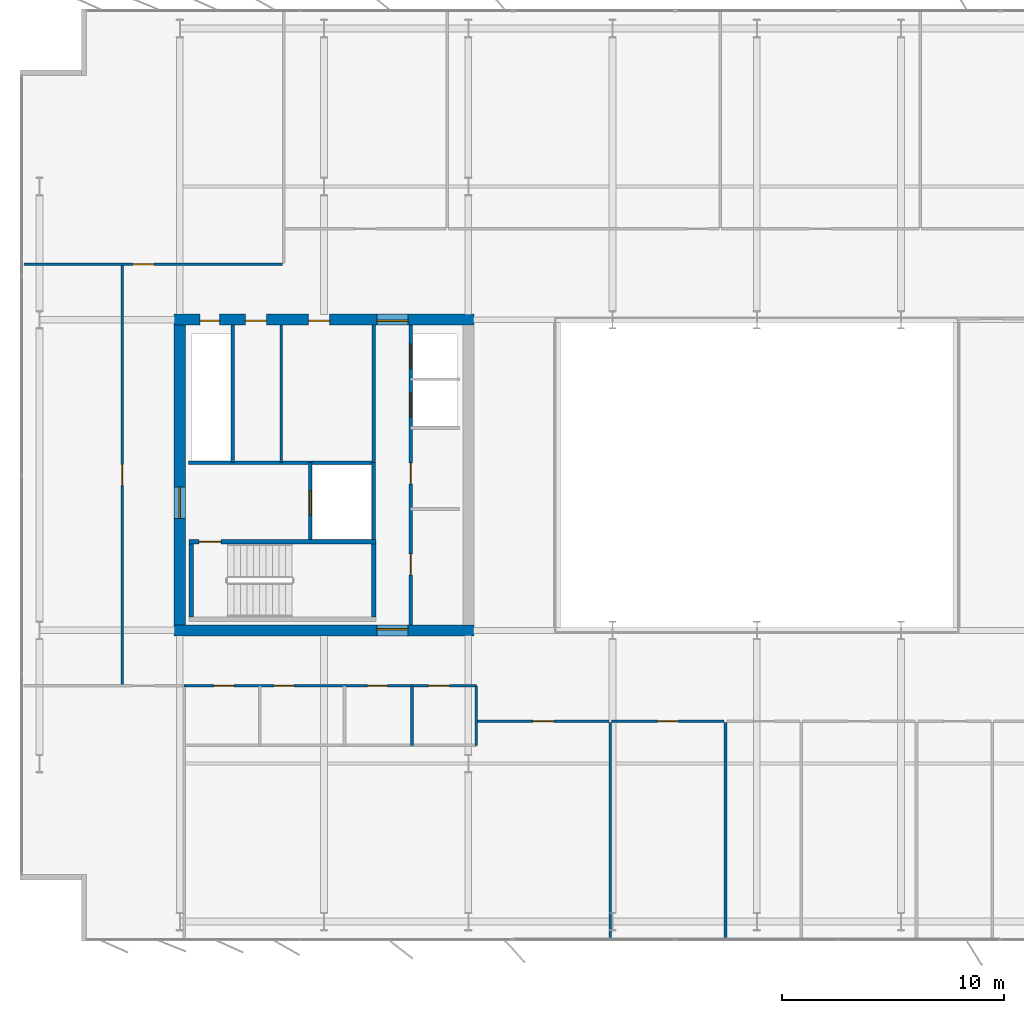
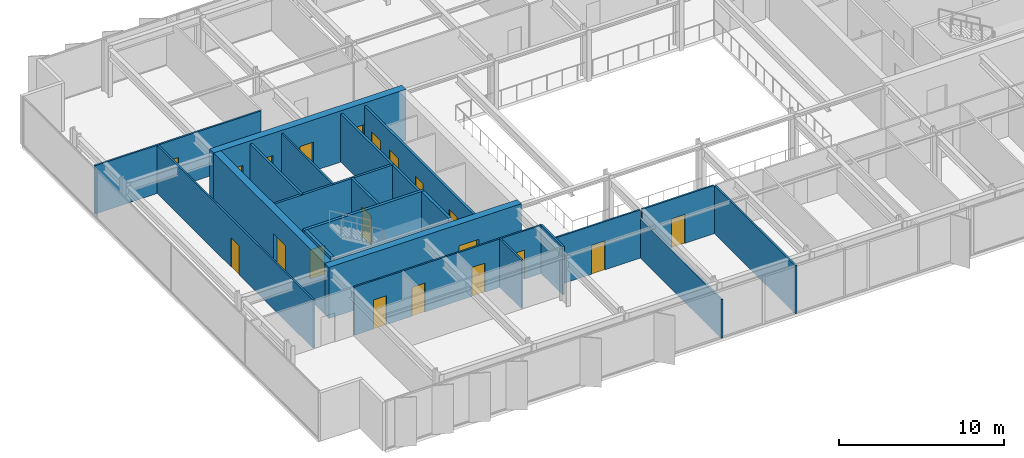
# One storey, part 17 of 24: 22 walls, 20 doors, 20 openings.
"""IFC4 building model written with IfcOpenShell, lengths in metres."""

from ifc_helpers import new_model, si_unit, direction, frame, frame_2d, origin, place, context, subcontext, project, spatial, rectangle, extrude, material, layer, layer_set, type_object, element, fill, save


model = new_model("IFC4")

# Units and contexts
model_context = context("Model", 3, precision=1e-05, world=origin(), true_north=direction((0.0, 1.0)))
body_context = subcontext(model_context, "Body", "Model", "MODEL_VIEW")
ifc_project = project(units=[si_unit("LENGTHUNIT", "METRE"), si_unit("AREAUNIT", "SQUARE_METRE"), si_unit("VOLUMEUNIT", "CUBIC_METRE"), si_unit("PLANEANGLEUNIT", "RADIAN"), si_unit("MASSUNIT", "GRAM", prefix="KILO")], contexts=[model_context])

# Site, building, storey
site_placement = place(None, origin())
site = spatial("IfcSite", under=ifc_project, at=site_placement, CompositionType="ELEMENT")
building_placement = place(site_placement, origin())
building = spatial("IfcBuilding", under=site, at=building_placement, Name="Putna Gate Headquarters", CompositionType="ELEMENT")
storey_placement = place(building_placement, frame((0.0, 0.0, 244.199951171875)))
storey = spatial("IfcBuildingStorey", under=building, at=storey_placement, Name="L61", CompositionType="ELEMENT", Elevation=244.199951171875)

# Wall, opening, door
ifc_material_1 = material(Name="Concrete C50/60", Category="concrete")
ifc_layer_1 = layer(ifc_material_1, 0.5)
ifc_layer_set_1 = layer_set([ifc_layer_1], Name="Concrete C50/60")
wall_type_1 = type_object("IfcWallType", Name="WALL-CORE-500", PredefinedType="SHEAR", material=ifc_layer_set_1)
wall_1_placement = place(storey_placement, frame((12.75, 19.0, 0.0), z_axis=(0.0, 0.0, 1.0), x_axis=(1.0, 0.0, 0.0)))
wall_1 = element("IfcWall", 1, at=wall_1_placement, inside=storey, type_object=wall_type_1, Name="L61 WC Split Core Shear Wall S", PredefinedType="SHEAR", context=body_context, shape_type="SweptSolid", body=[
    extrude(rectangle(XDim=13.5, YDim=0.5, at=frame_2d((6.75, 0.0))), origin(), (0.0, 0.0, 1.0), 3.800048828125),
])
opening_1_placement = place(wall_1_placement, frame((9.1298828125, 0.0, 0.0)))
opening_1 = element("IfcOpeningElement", 2, at=opening_1_placement, cuts=wall_1, Name="Opening FDD-140", PredefinedType="OPENING", context=body_context, shape_type="SweptSolid", body=[
    extrude(rectangle(XDim=1.39990234375, YDim=2.199951171875, at=frame_2d((0.699951171875, 1.10009765625))), frame((0.0, 0.260009765625, 0.0), z_axis=(0.0, -1.0, 0.0), x_axis=(1.0, 0.0, 0.0)), (0.0, 0.0, 1.0), 0.52001953125),
])
ifc_material_2 = material(Name="Double steel fire door", Category="steel")
door_type_1 = type_object("IfcDoorType", Name="DOOR-FIRE-DBL-1400", OperationType="DOUBLE_DOOR_SINGLE_SWING", PredefinedType="DOOR", material=ifc_material_2)
door_1_placement = place(opening_1_placement, origin())
door_1 = element("IfcDoor", 3, at=door_1_placement, inside=storey, type_object=door_type_1, Name="L61 West Lift Lobby South Door", OperationType="DOUBLE_DOOR_SINGLE_SWING", OverallHeight=2.199951171875, OverallWidth=1.39990234375, PredefinedType="DOOR", context=body_context, shape_type="SweptSolid", body=[
    extrude(rectangle(XDim=1.39990234375, YDim=2.199951171875, at=frame_2d((0.699951171875, 1.10009765625))), frame((0.0, 0.0751953125, 0.0), z_axis=(0.0, -1.0, 0.0), x_axis=(1.0, 0.0, 0.0)), (0.0, 0.0, 1.0), 0.050048828125),
])
fill(opening_1, door_1)

# Wall, openings, doors
wall_2_placement = place(storey_placement, frame((12.75, 33.0, 0.0), z_axis=(0.0, 0.0, 1.0), x_axis=(1.0, 0.0, 0.0)))
wall_2 = element("IfcWall", 4, at=wall_2_placement, inside=storey, type_object=wall_type_1, Name="L61 WC Split Core Shear Wall N", PredefinedType="SHEAR", context=body_context, shape_type="SweptSolid", body=[
    extrude(rectangle(XDim=13.5, YDim=0.5, at=frame_2d((6.75, 0.0))), origin(), (0.0, 0.0, 1.0), 3.800048828125),
])
opening_2_placement = place(wall_2_placement, frame((1.14990234375, 0.0, 0.0)))
opening_2 = element("IfcOpeningElement", 5, at=opening_2_placement, cuts=wall_2, Name="Opening RD-90", PredefinedType="OPENING", context=body_context, shape_type="SweptSolid", body=[
    extrude(rectangle(XDim=0.89990234375, YDim=2.14990234375, at=frame_2d((0.449951171875, 1.074951171875))), frame((0.0, 0.260009765625, 0.0), z_axis=(0.0, -1.0, 0.0), x_axis=(1.0, 0.0, 0.0)), (0.0, 0.0, 1.0), 0.52001953125),
])
opening_3_placement = place(wall_2_placement, frame((3.199951171875, 0.0, 0.0)))
opening_3 = element("IfcOpeningElement", 6, at=opening_3_placement, cuts=wall_2, Name="Opening IDS-95", PredefinedType="OPENING", context=body_context, shape_type="SweptSolid", body=[
    extrude(rectangle(XDim=0.949951171875, YDim=2.14990234375, at=frame_2d((0.47509765625, 1.074951171875))), frame((0.0, 0.260009765625, 0.0), z_axis=(0.0, -1.0, 0.0), x_axis=(1.0, 0.0, 0.0)), (0.0, 0.0, 1.0), 0.52001953125),
])
opening_4_placement = place(wall_2_placement, frame((6.050048828125, 0.0, 0.0)))
opening_4 = element("IfcOpeningElement", 7, at=opening_4_placement, cuts=wall_2, Name="Opening IDS-95", PredefinedType="OPENING", context=body_context, shape_type="SweptSolid", body=[
    extrude(rectangle(XDim=0.949951171875, YDim=2.14990234375, at=frame_2d((0.47509765625, 1.074951171875))), frame((0.0, 0.260009765625, 0.0), z_axis=(0.0, -1.0, 0.0), x_axis=(1.0, 0.0, 0.0)), (0.0, 0.0, 1.0), 0.52001953125),
])
opening_5_placement = place(wall_2_placement, frame((9.1298828125, 0.0, 0.0)))
opening_5 = element("IfcOpeningElement", 8, at=opening_5_placement, cuts=wall_2, Name="Opening FDD-140", PredefinedType="OPENING", context=body_context, shape_type="SweptSolid", body=[
    extrude(rectangle(XDim=1.39990234375, YDim=2.199951171875, at=frame_2d((0.699951171875, 1.10009765625))), frame((0.0, 0.260009765625, 0.0), z_axis=(0.0, -1.0, 0.0), x_axis=(1.0, 0.0, 0.0)), (0.0, 0.0, 1.0), 0.52001953125),
])
door_2_placement = place(opening_5_placement, origin())
door_2 = element("IfcDoor", 9, at=door_2_placement, inside=storey, type_object=door_type_1, Name="L61 West Lift Lobby North Door", OperationType="DOUBLE_DOOR_SINGLE_SWING", OverallHeight=2.199951171875, OverallWidth=1.39990234375, PredefinedType="DOOR", context=body_context, shape_type="SweptSolid", body=[
    extrude(rectangle(XDim=1.39990234375, YDim=2.199951171875, at=frame_2d((0.699951171875, 1.10009765625))), frame((0.0, -0.02490234375, 0.0), z_axis=(0.0, -1.0, 0.0), x_axis=(1.0, 0.0, 0.0)), (0.0, 0.0, 1.0), 0.050048828125),
])
fill(opening_5, door_2)
ifc_material_3 = material(Name="Fire-rated service timber door", Category="wood")
door_type_2 = type_object("IfcDoorType", Name="DOOR-INT-950", OperationType="NOTDEFINED", PredefinedType="DOOR", material=ifc_material_3)
door_3_placement = place(opening_3_placement, origin())
door_3 = element("IfcDoor", 10, at=door_3_placement, inside=storey, type_object=door_type_2, Name="L61 Archive Store Door", OperationType="SINGLE_SWING_LEFT", OverallHeight=2.14990234375, OverallWidth=0.949951171875, PredefinedType="DOOR", context=body_context, shape_type="SweptSolid", body=[
    extrude(rectangle(XDim=0.949951171875, YDim=2.14990234375, at=frame_2d((0.47509765625, 1.074951171875))), frame((0.0, -0.02490234375, 0.0), z_axis=(0.0, -1.0, 0.0), x_axis=(1.0, 0.0, 0.0)), (0.0, 0.0, 1.0), 0.050048828125),
])
fill(opening_3, door_3)
door_4_placement = place(opening_4_placement, origin())
door_4 = element("IfcDoor", 11, at=door_4_placement, inside=storey, type_object=door_type_2, Name="L61 Switchgear Plant Door", OperationType="SINGLE_SWING_RIGHT", OverallHeight=2.14990234375, OverallWidth=0.949951171875, PredefinedType="DOOR", context=body_context, shape_type="SweptSolid", body=[
    extrude(rectangle(XDim=0.949951171875, YDim=2.14990234375, at=frame_2d((0.47509765625, 1.074951171875))), frame((0.0, -0.02490234375, 0.0), z_axis=(0.0, -1.0, 0.0), x_axis=(1.0, 0.0, 0.0)), (0.0, 0.0, 1.0), 0.050048828125),
])
fill(opening_4, door_4)
ifc_material_4 = material(Name="Steel riser access fire door", Category="steel")
door_type_3 = type_object("IfcDoorType", Name="DOOR-RISER-900", OperationType="NOTDEFINED", PredefinedType="DOOR", material=ifc_material_4)
door_5_placement = place(opening_2_placement, origin())
door_5 = element("IfcDoor", 12, at=door_5_placement, inside=storey, type_object=door_type_3, Name="L61 West Riser Access Door", OperationType="SINGLE_SWING_RIGHT", OverallHeight=2.14990234375, OverallWidth=0.89990234375, PredefinedType="DOOR", context=body_context, shape_type="SweptSolid", body=[
    extrude(rectangle(XDim=0.89990234375, YDim=2.14990234375, at=frame_2d((0.449951171875, 1.074951171875))), frame((0.0, -0.02490234375, 0.0), z_axis=(0.0, -1.0, 0.0), x_axis=(1.0, 0.0, 0.0)), (0.0, 0.0, 1.0), 0.050048828125),
])
fill(opening_2, door_5)

# Wall, opening, door
wall_3_placement = place(storey_placement, frame((13.0, 19.25, 0.0), z_axis=(0.0, 0.0, 1.0), x_axis=(0.0, 1.0, 0.0)))
wall_3 = element("IfcWall", 13, at=wall_3_placement, inside=storey, type_object=wall_type_1, Name="L61 WC Split Core Shear Wall W", PredefinedType="SHEAR", context=body_context, shape_type="SweptSolid", body=[
    extrude(rectangle(XDim=13.5, YDim=0.5, at=frame_2d((6.75, 0.0))), origin(), (0.0, 0.0, 1.0), 3.800048828125),
])
opening_6_placement = place(wall_3_placement, frame((4.800048828125, 0.0, 0.0)))
opening_6 = element("IfcOpeningElement", 14, at=opening_6_placement, cuts=wall_3, Name="Opening FDD-140", PredefinedType="OPENING", context=body_context, shape_type="SweptSolid", body=[
    extrude(rectangle(XDim=1.39990234375, YDim=2.199951171875, at=frame_2d((0.699951171875, 1.10009765625))), frame((0.0, 0.260009765625, 0.0), z_axis=(0.0, -1.0, 0.0), x_axis=(1.0, 0.0, 0.0)), (0.0, 0.0, 1.0), 0.52001953125),
])
door_6_placement = place(opening_6_placement, origin())
door_6 = element("IfcDoor", 15, at=door_6_placement, inside=storey, type_object=door_type_1, Name="L61 West Firefighting Lobby Door", OperationType="DOUBLE_DOOR_SINGLE_SWING", OverallHeight=2.199951171875, OverallWidth=1.39990234375, PredefinedType="DOOR", context=body_context, shape_type="SweptSolid", body=[
    extrude(rectangle(XDim=1.39990234375, YDim=2.199951171875, at=frame_2d((0.699951171875, 1.10009765625))), frame((0.0, 0.02490234375, 0.0), z_axis=(0.0, -1.0, 0.0), x_axis=(1.0, 0.0, 0.0)), (0.0, 0.0, 1.0), 0.050048828125),
])
fill(opening_6, door_6)

# Walls
ifc_material_5 = material(Name="Acoustic gypsum board on metal stud")
ifc_layer_2 = layer(ifc_material_5, 0.1201171875)
ifc_layer_set_2 = layer_set([ifc_layer_2], Name="Acoustic gypsum board on metal stud")
wall_type_2 = type_object("IfcWallType", Name="WALL-PART-120", PredefinedType="PARTITIONING", material=ifc_layer_set_2)
wall_4_placement = place(storey_placement, frame((32.39990234375, 5.02001953125, 0.0), z_axis=(0.0, 0.0, 1.0), x_axis=(0.0, 1.0, 0.0)))
element("IfcWall", 16, at=wall_4_placement, inside=storey, type_object=wall_type_2, Name="L61 Interior Wall PART-L61-SB-DIV-02", PredefinedType="PARTITIONING", context=body_context, shape_type="SweptSolid", body=[
    extrude(rectangle(XDim=9.820068359375, YDim=0.1201171875, at=frame_2d((4.91015625, 0.0))), origin(), (0.0, 0.0, 1.0), 2.880126953125),
])
wall_5_placement = place(storey_placement, frame((37.58984375, 5.02001953125, 0.0), z_axis=(0.0, 0.0, 1.0), x_axis=(0.0, 1.0, 0.0)))
element("IfcWall", 17, at=wall_5_placement, inside=storey, type_object=wall_type_2, Name="L61 Interior Wall PART-L61-SB-DIV-03", PredefinedType="PARTITIONING", context=body_context, shape_type="SweptSolid", body=[
    extrude(rectangle(XDim=9.820068359375, YDim=0.1201171875, at=frame_2d((4.91015625, 0.0))), origin(), (0.0, 0.0, 1.0), 3.580078125),
])
ifc_material_6 = material(Name="Fire-rated gypsum board on metal stud")
ifc_layer_3 = layer(ifc_material_6, 0.1201171875)
ifc_layer_set_3 = layer_set([ifc_layer_3], Name="Fire-rated gypsum board on metal stud")
wall_type_3 = type_object("IfcWallType", Name="WALL-PART-120-RATED", PredefinedType="PARTITIONING", material=ifc_layer_set_3)
wall_6_placement = place(storey_placement, frame((17.570068359375, 26.56005859375, 0.0), z_axis=(0.0, 0.0, 1.0), x_axis=(0.0, 1.0, 0.0)))
element("IfcWall", 18, at=wall_6_placement, inside=storey, type_object=wall_type_3, Name="L61 Interior Wall CWINT-L61-WC-K1-DIV", PredefinedType="PARTITIONING", context=body_context, shape_type="SweptSolid", body=[
    extrude(rectangle(XDim=6.18994140625, YDim=0.1201171875, at=frame_2d((3.094970703125, 0.0))), origin(), (0.0, 0.0, 1.0), 3.580078125),
])

# Wall, openings, doors
wall_7_placement = place(storey_placement, frame((13.199951171875, 16.5, 0.0), z_axis=(0.0, 0.0, 1.0), x_axis=(1.0, 0.0, 0.0)))
wall_7 = element("IfcWall", 19, at=wall_7_placement, inside=storey, type_object=wall_type_3, Name="L61 Interior Wall PART-L61-SAN-CW", PredefinedType="PARTITIONING", context=body_context, shape_type="SweptSolid", body=[
    extrude(rectangle(XDim=13.16015625, YDim=0.1201171875, at=frame_2d((6.580078125, 0.0))), origin(), (0.0, 0.0, 1.0), 3.580078125),
])
opening_7_placement = place(wall_7_placement, frame((1.35009765625, 0.0, 0.0)))
opening_7 = element("IfcOpeningElement", 20, at=opening_7_placement, cuts=wall_7, Name="Opening FD-90", PredefinedType="OPENING", context=body_context, shape_type="SweptSolid", body=[
    extrude(rectangle(XDim=0.89990234375, YDim=2.14990234375, at=frame_2d((0.449951171875, 1.074951171875))), frame((0.0, 0.070068359375, 0.0), z_axis=(0.0, -1.0, 0.0), x_axis=(1.0, 0.0, 0.0)), (0.0, 0.0, 1.0), 0.14013671875),
])
opening_8_placement = place(wall_7_placement, frame((4.050048828125, 0.0, 0.0)))
opening_8 = element("IfcOpeningElement", 21, at=opening_8_placement, cuts=wall_7, Name="Opening FD-90", PredefinedType="OPENING", context=body_context, shape_type="SweptSolid", body=[
    extrude(rectangle(XDim=0.89990234375, YDim=2.14990234375, at=frame_2d((0.449951171875, 1.074951171875))), frame((0.0, 0.070068359375, 0.0), z_axis=(0.0, -1.0, 0.0), x_axis=(1.0, 0.0, 0.0)), (0.0, 0.0, 1.0), 0.14013671875),
])
opening_9_placement = place(wall_7_placement, frame((8.25, 0.0, 0.0)))
opening_9 = element("IfcOpeningElement", 22, at=opening_9_placement, cuts=wall_7, Name="Opening FD-90", PredefinedType="OPENING", context=body_context, shape_type="SweptSolid", body=[
    extrude(rectangle(XDim=0.89990234375, YDim=2.14990234375, at=frame_2d((0.449951171875, 1.074951171875))), frame((0.0, 0.070068359375, 0.0), z_axis=(0.0, -1.0, 0.0), x_axis=(1.0, 0.0, 0.0)), (0.0, 0.0, 1.0), 0.14013671875),
])
opening_10_placement = place(wall_7_placement, frame((11.0, 0.0, 0.0)))
opening_10 = element("IfcOpeningElement", 23, at=opening_10_placement, cuts=wall_7, Name="Opening FD-95", PredefinedType="OPENING", context=body_context, shape_type="SweptSolid", body=[
    extrude(rectangle(XDim=0.949951171875, YDim=2.14990234375, at=frame_2d((0.47509765625, 1.074951171875))), frame((0.0, 0.070068359375, 0.0), z_axis=(0.0, -1.0, 0.0), x_axis=(1.0, 0.0, 0.0)), (0.0, 0.0, 1.0), 0.14013671875),
])
ifc_material_7 = material(Name="Acoustic washroom fire door")
door_type_4 = type_object("IfcDoorType", Name="DOOR-FIRE-900", OperationType="NOTDEFINED", PredefinedType="DOOR", material=ifc_material_7)
door_7_placement = place(opening_7_placement, origin())
door_7 = element("IfcDoor", 24, at=door_7_placement, inside=storey, type_object=door_type_4, Name="L61 Washroom Male Door", OperationType="SINGLE_SWING_RIGHT", OverallHeight=2.14990234375, OverallWidth=0.89990234375, PredefinedType="DOOR", context=body_context, shape_type="SweptSolid", body=[
    extrude(rectangle(XDim=0.89990234375, YDim=2.14990234375, at=frame_2d((0.449951171875, 1.074951171875))), frame((0.0, 0.02490234375, 0.0), z_axis=(0.0, -1.0, 0.0), x_axis=(1.0, 0.0, 0.0)), (0.0, 0.0, 1.0), 0.050048828125),
])
fill(opening_7, door_7)
door_8_placement = place(opening_8_placement, origin())
door_8 = element("IfcDoor", 25, at=door_8_placement, inside=storey, type_object=door_type_4, Name="L61 Washroom Female Door", OperationType="SINGLE_SWING_LEFT", OverallHeight=2.14990234375, OverallWidth=0.89990234375, PredefinedType="DOOR", context=body_context, shape_type="SweptSolid", body=[
    extrude(rectangle(XDim=0.89990234375, YDim=2.14990234375, at=frame_2d((0.449951171875, 1.074951171875))), frame((0.0, 0.02490234375, 0.0), z_axis=(0.0, -1.0, 0.0), x_axis=(1.0, 0.0, 0.0)), (0.0, 0.0, 1.0), 0.050048828125),
])
fill(opening_8, door_8)
door_9_placement = place(opening_9_placement, origin())
door_9 = element("IfcDoor", 26, at=door_9_placement, inside=storey, type_object=door_type_4, Name="L61 Accessible WC Door", OperationType="SINGLE_SWING_RIGHT", OverallHeight=2.14990234375, OverallWidth=0.89990234375, PredefinedType="DOOR", context=body_context, shape_type="SweptSolid", body=[
    extrude(rectangle(XDim=0.89990234375, YDim=2.14990234375, at=frame_2d((0.449951171875, 1.074951171875))), frame((0.0, 0.02490234375, 0.0), z_axis=(0.0, -1.0, 0.0), x_axis=(1.0, 0.0, 0.0)), (0.0, 0.0, 1.0), 0.050048828125),
])
fill(opening_9, door_9)
ifc_material_8 = material(Name="Acoustic timber fire door", Category="wood")
door_type_5 = type_object("IfcDoorType", Name="DOOR-FIRE-950", OperationType="NOTDEFINED", PredefinedType="DOOR", material=ifc_material_8)
door_10_placement = place(opening_10_placement, origin())
door_10 = element("IfcDoor", 27, at=door_10_placement, inside=storey, type_object=door_type_5, Name="L61 Staff Pantry and Tea Point Door", OperationType="SINGLE_SWING_LEFT", OverallHeight=2.14990234375, OverallWidth=0.949951171875, PredefinedType="DOOR", context=body_context, shape_type="SweptSolid", body=[
    extrude(rectangle(XDim=0.949951171875, YDim=2.14990234375, at=frame_2d((0.47509765625, 1.074951171875))), frame((0.0, 0.02490234375, 0.0), z_axis=(0.0, -1.0, 0.0), x_axis=(1.0, 0.0, 0.0)), (0.0, 0.0, 1.0), 0.050048828125),
])
fill(opening_10, door_10)

# Walls
for number, where, z_axis, x_axis, name in (
    (28, (23.4599609375, 13.820068359375, 0.0), (0.0, 0.0, 1.0), (0.0, 1.0, 0.0), "L61 Interior Wall PART-L61-SAN-DIV-3"),
    (29, (26.360107421875, 13.820068359375, 0.0), (0.0, 0.0, 1.0), (0.0, 1.0, 0.0), "L61 Interior Wall PART-L61-SAN-DIV-4"),
):
    element("IfcWall", number, at=place(storey_placement, frame(where, z_axis=z_axis, x_axis=x_axis)), inside=storey, type_object=wall_type_3, Name=name, PredefinedType="PARTITIONING", context=body_context, shape_type="SweptSolid", body=[
        extrude(rectangle(XDim=2.679931640625, YDim=0.1201171875, at=frame_2d((1.33984375, 0.0))), origin(), (0.0, 0.0, 1.0), 3.580078125),
    ])

# Wall, opening, door
wall_8_placement = place(storey_placement, frame((5.97998046875, 35.5, 0.0), z_axis=(0.0, 0.0, 1.0), x_axis=(1.0, 0.0, 0.0)))
wall_8 = element("IfcWall", 30, at=wall_8_placement, inside=storey, type_object=wall_type_3, Name="L61 Interior Wall PART-L61-NB-CW-01", PredefinedType="PARTITIONING", context=body_context, shape_type="SweptSolid", body=[
    extrude(rectangle(XDim=11.642333984375, YDim=0.1201171875, at=frame_2d((5.8212890625, 0.0))), origin(), (0.0, 0.0, 1.0), 3.580078125),
])
opening_11_placement = place(wall_8_placement, frame((4.89990234375, 0.0, 0.0)))
opening_11 = element("IfcOpeningElement", 31, at=opening_11_placement, cuts=wall_8, Name="Opening FD-95", PredefinedType="OPENING", context=body_context, shape_type="SweptSolid", body=[
    extrude(rectangle(XDim=0.949951171875, YDim=2.14990234375, at=frame_2d((0.47509765625, 1.074951171875))), frame((0.0, 0.070068359375, 0.0), z_axis=(0.0, -1.0, 0.0), x_axis=(1.0, 0.0, 0.0)), (0.0, 0.0, 1.0), 0.14013671875),
])
door_11_placement = place(opening_11_placement, origin())
door_11 = element("IfcDoor", 32, at=door_11_placement, inside=storey, type_object=door_type_5, Name="L61 Cellular Office 7 Door", OperationType="SINGLE_SWING_RIGHT", OverallHeight=2.14990234375, OverallWidth=0.949951171875, PredefinedType="DOOR", context=body_context, shape_type="SweptSolid", body=[
    extrude(rectangle(XDim=0.949951171875, YDim=2.14990234375, at=frame_2d((0.47509765625, 1.074951171875))), frame((0.0, 0.02490234375, 0.0), z_axis=(0.0, -1.0, 0.0), x_axis=(1.0, 0.0, 0.0)), (0.0, 0.0, 1.0), 0.050048828125),
])
fill(opening_11, door_11)

wall_9_placement = place(storey_placement, frame((26.419921875, 14.89990234375, 0.0), z_axis=(0.0, 0.0, 1.0), x_axis=(1.0, 0.0, 0.0)))
wall_9 = element("IfcWall", 33, at=wall_9_placement, inside=storey, type_object=wall_type_3, Name="L61 Interior Wall PART-L61-SB-CW-02", PredefinedType="PARTITIONING", context=body_context, shape_type="SweptSolid", body=[
    extrude(rectangle(XDim=5.920166015625, YDim=0.1201171875, at=frame_2d((2.9599609375, 0.0))), origin(), (0.0, 0.0, 1.0), 3.580078125),
])
opening_12_placement = place(wall_9_placement, frame((2.485107421875, 0.0, 0.0)))
opening_12 = element("IfcOpeningElement", 34, at=opening_12_placement, cuts=wall_9, Name="Opening FD-95", PredefinedType="OPENING", context=body_context, shape_type="SweptSolid", body=[
    extrude(rectangle(XDim=0.949951171875, YDim=2.14990234375, at=frame_2d((0.47509765625, 1.074951171875))), frame((0.0, 0.070068359375, 0.0), z_axis=(0.0, -1.0, 0.0), x_axis=(1.0, 0.0, 0.0)), (0.0, 0.0, 1.0), 0.14013671875),
])
door_12_placement = place(opening_12_placement, origin())
door_12 = element("IfcDoor", 35, at=door_12_placement, inside=storey, type_object=door_type_5, Name="L61 Primary Open Office Workplace Door", OperationType="SINGLE_SWING_LEFT", OverallHeight=2.14990234375, OverallWidth=0.949951171875, PredefinedType="DOOR", context=body_context, shape_type="SweptSolid", body=[
    extrude(rectangle(XDim=0.949951171875, YDim=2.14990234375, at=frame_2d((0.47509765625, 1.074951171875))), frame((0.0, 0.02490234375, 0.0), z_axis=(0.0, -1.0, 0.0), x_axis=(1.0, 0.0, 0.0)), (0.0, 0.0, 1.0), 0.050048828125),
])
fill(opening_12, door_12)

wall_10_placement = place(storey_placement, frame((32.4599609375, 14.89990234375, 0.0), z_axis=(0.0, 0.0, 1.0), x_axis=(1.0, 0.0, 0.0)))
wall_10 = element("IfcWall", 36, at=wall_10_placement, inside=storey, type_object=wall_type_3, Name="L61 Interior Wall PART-L61-SB-CW-03", PredefinedType="PARTITIONING", context=body_context, shape_type="SweptSolid", body=[
    extrude(rectangle(XDim=5.06982421875, YDim=0.1201171875, at=frame_2d((2.534912109375, 0.0))), origin(), (0.0, 0.0, 1.0), 3.580078125),
])
opening_13_placement = place(wall_10_placement, frame((2.059814453125, 0.0, 0.0)))
opening_13 = element("IfcOpeningElement", 37, at=opening_13_placement, cuts=wall_10, Name="Opening FD-95", PredefinedType="OPENING", context=body_context, shape_type="SweptSolid", body=[
    extrude(rectangle(XDim=0.949951171875, YDim=2.14990234375, at=frame_2d((0.47509765625, 1.074951171875))), frame((0.0, 0.070068359375, 0.0), z_axis=(0.0, -1.0, 0.0), x_axis=(1.0, 0.0, 0.0)), (0.0, 0.0, 1.0), 0.14013671875),
])
door_13_placement = place(opening_13_placement, origin())
door_13 = element("IfcDoor", 38, at=door_13_placement, inside=storey, type_object=door_type_5, Name="L61 Quiet Wellness Focus Studio 1 Door", OperationType="SINGLE_SWING_RIGHT", OverallHeight=2.14990234375, OverallWidth=0.949951171875, PredefinedType="DOOR", context=body_context, shape_type="SweptSolid", body=[
    extrude(rectangle(XDim=0.949951171875, YDim=2.14990234375, at=frame_2d((0.47509765625, 1.074951171875))), frame((0.0, 0.02490234375, 0.0), z_axis=(0.0, -1.0, 0.0), x_axis=(1.0, 0.0, 0.0)), (0.0, 0.0, 1.0), 0.050048828125),
])
fill(opening_13, door_13)

wall_11_placement = place(storey_placement, frame((10.39990234375, 16.5, 0.0), z_axis=(0.0, 0.0, 1.0), x_axis=(0.0, 1.0, 0.0)))
wall_11 = element("IfcWall", 39, at=wall_11_placement, inside=storey, type_object=wall_type_3, Name="L61 Interior Wall PART-L61-WW-CW-1", PredefinedType="PARTITIONING", context=body_context, shape_type="SweptSolid", body=[
    extrude(rectangle(XDim=19.0, YDim=0.1201171875, at=frame_2d((9.5, 0.0))), origin(), (0.0, 0.0, 1.0), 3.580078125),
])
opening_14_placement = place(wall_11_placement, frame((9.02490234375, 0.0, 0.0)))
opening_14 = element("IfcOpeningElement", 40, at=opening_14_placement, cuts=wall_11, Name="Opening FD-95", PredefinedType="OPENING", context=body_context, shape_type="SweptSolid", body=[
    extrude(rectangle(XDim=0.949951171875, YDim=2.14990234375, at=frame_2d((0.47509765625, 1.074951171875))), frame((0.0, 0.070068359375, 0.0), z_axis=(0.0, -1.0, 0.0), x_axis=(1.0, 0.0, 0.0)), (0.0, 0.0, 1.0), 0.14013671875),
])
door_14_placement = place(opening_14_placement, origin())
door_14 = element("IfcDoor", 41, at=door_14_placement, inside=storey, type_object=door_type_5, Name="L61 West Project Meeting Room 1 Door", OperationType="SINGLE_SWING_LEFT", OverallHeight=2.14990234375, OverallWidth=0.949951171875, PredefinedType="DOOR", context=body_context, shape_type="SweptSolid", body=[
    extrude(rectangle(XDim=0.949951171875, YDim=2.14990234375, at=frame_2d((0.47509765625, 1.074951171875))), frame((0.0, 0.02490234375, 0.0), z_axis=(0.0, -1.0, 0.0), x_axis=(1.0, 0.0, 0.0)), (0.0, 0.0, 1.0), 0.050048828125),
])
fill(opening_14, door_14)

# Wall
ifc_material_9 = material(Name="Concrete C40/50", Category="concrete")
ifc_layer_4 = layer(ifc_material_9, 0.159912109375)
ifc_layer_set_4 = layer_set([ifc_layer_4], Name="Concrete C40/50")
wall_type_4 = type_object("IfcWallType", Name="WALL-SHAFT-160", PredefinedType="STANDARD", material=ifc_layer_set_4)
wall_12_placement = place(storey_placement, frame((21.739990234375, 23.090087890625, 0.0), z_axis=(0.0, 0.0, 1.0), x_axis=(0.0, 1.0, 0.0)))
element("IfcWall", 42, at=wall_12_placement, inside=storey, type_object=wall_type_4, Name="L61 Interior Wall CWINT-L61-WC-FFL-E", PredefinedType="STANDARD", context=body_context, shape_type="SweptSolid", body=[
    extrude(rectangle(XDim=3.469970703125, YDim=0.159912109375, at=frame_2d((1.73486328125, 0.0))), origin(), (0.0, 0.0, 1.0), 3.580078125),
])

# Wall, opening, door
wall_13_placement = place(storey_placement, frame((18.8798828125, 23.090087890625, 0.0), z_axis=(0.0, 0.0, 1.0), x_axis=(0.0, 1.0, 0.0)))
wall_13 = element("IfcWall", 43, at=wall_13_placement, inside=storey, type_object=wall_type_4, Name="L61 Interior Wall CWINT-L61-WC-LF13-W", PredefinedType="STANDARD", context=body_context, shape_type="SweptSolid", body=[
    extrude(rectangle(XDim=3.469970703125, YDim=0.159912109375, at=frame_2d((1.73486328125, 0.0))), origin(), (0.0, 0.0, 1.0), 3.580078125),
])
opening_15_placement = place(wall_13_placement, frame((1.10009765625, 0.0, 0.0)))
opening_15 = element("IfcOpeningElement", 44, at=opening_15_placement, cuts=wall_13, Name="Opening LD-1", PredefinedType="OPENING", context=body_context, shape_type="SweptSolid", body=[
    extrude(rectangle(XDim=1.10009765625, YDim=2.199951171875, at=frame_2d((0.550048828125, 1.10009765625))), frame((0.0, 0.08984375, 0.0), z_axis=(0.0, -1.0, 0.0), x_axis=(1.0, 0.0, 0.0)), (0.0, 0.0, 1.0), 0.179931640625),
])
ifc_material_10 = material(Name="Brushed bronze stainless lift landing door")
door_type_6 = type_object("IfcDoorType", Name="DOOR-LIFT-1100", OperationType="DOUBLE_DOOR_SLIDING", PredefinedType="DOOR", material=ifc_material_10)
door_15_placement = place(opening_15_placement, origin())
door_15 = element("IfcDoor", 45, at=door_15_placement, inside=storey, type_object=door_type_6, Name="L61 Lift Landing Door LD-13", OperationType="DOUBLE_DOOR_SLIDING", OverallHeight=2.199951171875, OverallWidth=1.10009765625, PredefinedType="DOOR", context=body_context, shape_type="SweptSolid", body=[
    extrude(rectangle(XDim=1.10009765625, YDim=2.199951171875, at=frame_2d((0.550048828125, 1.10009765625))), frame((0.0, 0.02490234375, 0.0), z_axis=(0.0, -1.0, 0.0), x_axis=(1.0, 0.0, 0.0)), (0.0, 0.0, 1.0), 0.050048828125),
])
fill(opening_15, door_15)

# Walls
wall_14_placement = place(storey_placement, frame((13.39990234375, 26.56005859375, 0.0), z_axis=(0.0, 0.0, 1.0), x_axis=(1.0, 0.0, 0.0)))
element("IfcWall", 46, at=wall_14_placement, inside=storey, type_object=wall_type_4, Name="L61 Interior Wall CWINT-L61-WC-FFL-N", PredefinedType="STANDARD", context=body_context, shape_type="SweptSolid", body=[
    extrude(rectangle(XDim=8.340087890625, YDim=0.159912109375, at=frame_2d((4.169921875, 0.0))), origin(), (0.0, 0.0, 1.0), 3.580078125),
])
for number, where, z_axis, x_axis, name in (
    (47, (15.3798828125, 26.56005859375, 0.0), (0.0, 0.0, 1.0), (0.0, 1.0, 0.0), "L61 Interior Wall CWINT-L61-WC-RISER-E"),
    (48, (21.739990234375, 26.56005859375, 0.0), (0.0, 0.0, 1.0), (0.0, 1.0, 0.0), "L61 Interior Wall CWINT-L61-WC-LOB-W"),
):
    element("IfcWall", number, at=place(storey_placement, frame(where, z_axis=z_axis, x_axis=x_axis)), inside=storey, type_object=wall_type_4, Name=name, PredefinedType="STANDARD", context=body_context, shape_type="SweptSolid", body=[
        extrude(rectangle(XDim=6.18994140625, YDim=0.159912109375, at=frame_2d((3.094970703125, 0.0))), origin(), (0.0, 0.0, 1.0), 3.580078125),
    ])

# Wall, openings, doors
wall_15_placement = place(storey_placement, frame((23.39990234375, 19.25, 0.0), z_axis=(0.0, 0.0, 1.0), x_axis=(0.0, 1.0, 0.0)))
wall_15 = element("IfcWall", 49, at=wall_15_placement, inside=storey, type_object=wall_type_4, Name="L61 Interior Wall CWINT-L61-WC-PL-WALL", PredefinedType="STANDARD", context=body_context, shape_type="SweptSolid", body=[
    extrude(rectangle(XDim=13.5, YDim=0.159912109375, at=frame_2d((6.75, 0.0))), origin(), (0.0, 0.0, 1.0), 3.580078125),
])
opening_16_placement = place(wall_15_placement, frame((2.25, 0.0, 0.0)))
opening_16 = element("IfcOpeningElement", 50, at=opening_16_placement, cuts=wall_15, Name="Opening IDS-95", PredefinedType="OPENING", context=body_context, shape_type="SweptSolid", body=[
    extrude(rectangle(XDim=0.949951171875, YDim=2.14990234375, at=frame_2d((0.47509765625, 1.074951171875))), frame((0.0, 0.08984375, 0.0), z_axis=(0.0, -1.0, 0.0), x_axis=(1.0, 0.0, 0.0)), (0.0, 0.0, 1.0), 0.179931640625),
])
opening_17_placement = place(wall_15_placement, frame((6.35009765625, 0.0, 0.0)))
opening_17 = element("IfcOpeningElement", 51, at=opening_17_placement, cuts=wall_15, Name="Opening IDS-95", PredefinedType="OPENING", context=body_context, shape_type="SweptSolid", body=[
    extrude(rectangle(XDim=0.949951171875, YDim=2.14990234375, at=frame_2d((0.47509765625, 1.074951171875))), frame((0.0, 0.08984375, 0.0), z_axis=(0.0, -1.0, 0.0), x_axis=(1.0, 0.0, 0.0)), (0.0, 0.0, 1.0), 0.179931640625),
])
opening_18_placement = place(wall_15_placement, frame((9.35009765625, 0.0, 0.0)))
opening_18 = element("IfcOpeningElement", 52, at=opening_18_placement, cuts=wall_15, Name="Opening LD-1", PredefinedType="OPENING", context=body_context, shape_type="SweptSolid", body=[
    extrude(rectangle(XDim=1.10009765625, YDim=2.199951171875, at=frame_2d((0.550048828125, 1.10009765625))), frame((0.0, 0.08984375, 0.0), z_axis=(0.0, -1.0, 0.0), x_axis=(1.0, 0.0, 0.0)), (0.0, 0.0, 1.0), 0.179931640625),
])
opening_19_placement = place(wall_15_placement, frame((11.550048828125, 0.0, 0.0)))
opening_19 = element("IfcOpeningElement", 53, at=opening_19_placement, cuts=wall_15, Name="Opening LD-1", PredefinedType="OPENING", context=body_context, shape_type="SweptSolid", body=[
    extrude(rectangle(XDim=1.10009765625, YDim=2.199951171875, at=frame_2d((0.550048828125, 1.10009765625))), frame((0.0, 0.08984375, 0.0), z_axis=(0.0, -1.0, 0.0), x_axis=(1.0, 0.0, 0.0)), (0.0, 0.0, 1.0), 0.179931640625),
])
door_16_placement = place(opening_16_placement, origin())
door_16 = element("IfcDoor", 54, at=door_16_placement, inside=storey, type_object=door_type_2, Name="L61 Tenant IT Hub Door", OperationType="SINGLE_SWING_LEFT", OverallHeight=2.14990234375, OverallWidth=0.949951171875, PredefinedType="DOOR", context=body_context, shape_type="SweptSolid", body=[
    extrude(rectangle(XDim=0.949951171875, YDim=2.14990234375, at=frame_2d((0.47509765625, 1.074951171875))), frame((0.0, 0.02490234375, 0.0), z_axis=(0.0, -1.0, 0.0), x_axis=(1.0, 0.0, 0.0)), (0.0, 0.0, 1.0), 0.050048828125),
])
fill(opening_16, door_16)
door_17_placement = place(opening_17_placement, origin())
door_17 = element("IfcDoor", 55, at=door_17_placement, inside=storey, type_object=door_type_2, Name="L61 Records Vault Door", OperationType="SINGLE_SWING_RIGHT", OverallHeight=2.14990234375, OverallWidth=0.949951171875, PredefinedType="DOOR", context=body_context, shape_type="SweptSolid", body=[
    extrude(rectangle(XDim=0.949951171875, YDim=2.14990234375, at=frame_2d((0.47509765625, 1.074951171875))), frame((0.0, 0.02490234375, 0.0), z_axis=(0.0, -1.0, 0.0), x_axis=(1.0, 0.0, 0.0)), (0.0, 0.0, 1.0), 0.050048828125),
])
fill(opening_17, door_17)
door_18_placement = place(opening_18_placement, origin())
door_18 = element("IfcDoor", 56, at=door_18_placement, inside=storey, type_object=door_type_6, Name="L61 Lift Landing Door LD-09", OperationType="DOUBLE_DOOR_SLIDING", OverallHeight=2.199951171875, OverallWidth=1.10009765625, PredefinedType="DOOR", context=body_context, shape_type="SweptSolid", body=[
    extrude(rectangle(XDim=1.10009765625, YDim=2.199951171875, at=frame_2d((0.550048828125, 1.10009765625))), frame((0.0, 0.02490234375, 0.0), z_axis=(0.0, -1.0, 0.0), x_axis=(1.0, 0.0, 0.0)), (0.0, 0.0, 1.0), 0.050048828125),
])
fill(opening_18, door_18)
door_19_placement = place(opening_19_placement, origin())
door_19 = element("IfcDoor", 57, at=door_19_placement, inside=storey, type_object=door_type_6, Name="L61 Lift Landing Door LD-10", OperationType="DOUBLE_DOOR_SLIDING", OverallHeight=2.199951171875, OverallWidth=1.10009765625, PredefinedType="DOOR", context=body_context, shape_type="SweptSolid", body=[
    extrude(rectangle(XDim=1.10009765625, YDim=2.199951171875, at=frame_2d((0.550048828125, 1.10009765625))), frame((0.0, 0.02490234375, 0.0), z_axis=(0.0, -1.0, 0.0), x_axis=(1.0, 0.0, 0.0)), (0.0, 0.0, 1.0), 0.050048828125),
])
fill(opening_19, door_19)

# Wall, opening, door
ifc_layer_5 = layer(ifc_material_9, 0.199951171875)
ifc_layer_set_5 = layer_set([ifc_layer_5], Name="Concrete C40/50")
wall_type_5 = type_object("IfcWallType", Name="WALL-SHAFT-RC200", PredefinedType="SHEAR", material=ifc_layer_set_5)
wall_16_placement = place(storey_placement, frame((13.409912109375, 22.989990234375, 0.0), z_axis=(0.0, 0.0, 1.0), x_axis=(1.0, 0.0, 0.0)))
wall_16 = element("IfcWall", 58, at=wall_16_placement, inside=storey, type_object=wall_type_5, Name="L61 Stair ST1 Structural Shaft Wall N", PredefinedType="SHEAR", context=body_context, shape_type="SweptSolid", body=[
    extrude(rectangle(XDim=8.43017578125, YDim=0.199951171875, at=frame_2d((4.215087890625, 0.0))), origin(), (0.0, 0.0, 1.0), 3.800048828125),
])
opening_20_placement = place(wall_16_placement, frame((0.449951171875, 0.0, 0.0)))
opening_20 = element("IfcOpeningElement", 59, at=opening_20_placement, cuts=wall_16, Name="Opening FD-100", PredefinedType="OPENING", context=body_context, shape_type="SweptSolid", body=[
    extrude(rectangle(XDim=1.0, YDim=2.14990234375, at=frame_2d((0.5, 1.074951171875))), frame((0.0, 0.10986328125, 0.0), z_axis=(0.0, -1.0, 0.0), x_axis=(1.0, 0.0, 0.0)), (0.0, 0.0, 1.0), 0.219970703125),
])
ifc_material_11 = material(Name="Powder-coated steel fire door", Category="steel")
door_type_7 = type_object("IfcDoorType", Name="DOOR-FIRE-1000", OperationType="NOTDEFINED", PredefinedType="DOOR", material=ifc_material_11)
door_20_placement = place(opening_20_placement, origin())
door_20 = element("IfcDoor", 60, at=door_20_placement, inside=storey, type_object=door_type_7, Name="L61 Stair ST1 Fire Door", OperationType="SINGLE_SWING_LEFT", OverallHeight=2.14990234375, OverallWidth=1.0, PredefinedType="DOOR", context=body_context, shape_type="SweptSolid", body=[
    extrude(rectangle(XDim=1.0, YDim=2.14990234375, at=frame_2d((0.5, 1.074951171875))), frame((0.0, 0.02490234375, 0.0), z_axis=(0.0, -1.0, 0.0), x_axis=(1.0, 0.0, 0.0)), (0.0, 0.0, 1.0), 0.050048828125),
])
fill(opening_20, door_20)

# Walls
for number, where, z_axis, x_axis, name in (
    (61, (13.510009765625, 19.610107421875, 0.0), (0.0, 0.0, 1.0), (0.0, 1.0, 0.0), "L61 Stair ST1 Structural Shaft Wall W"),
    (62, (21.739990234375, 19.610107421875, 0.0), (0.0, 0.0, 1.0), (0.0, 1.0, 0.0), "L61 Stair ST1 Structural Shaft Wall E"),
):
    element("IfcWall", number, at=place(storey_placement, frame(where, z_axis=z_axis, x_axis=x_axis)), inside=storey, type_object=wall_type_5, Name=name, PredefinedType="SHEAR", context=body_context, shape_type="SweptSolid", body=[
        extrude(rectangle(XDim=3.27978515625, YDim=0.199951171875, at=frame_2d((1.639892578125, 0.0))), origin(), (0.0, 0.0, 1.0), 3.800048828125),
    ])

save(model, "model.ifc")
